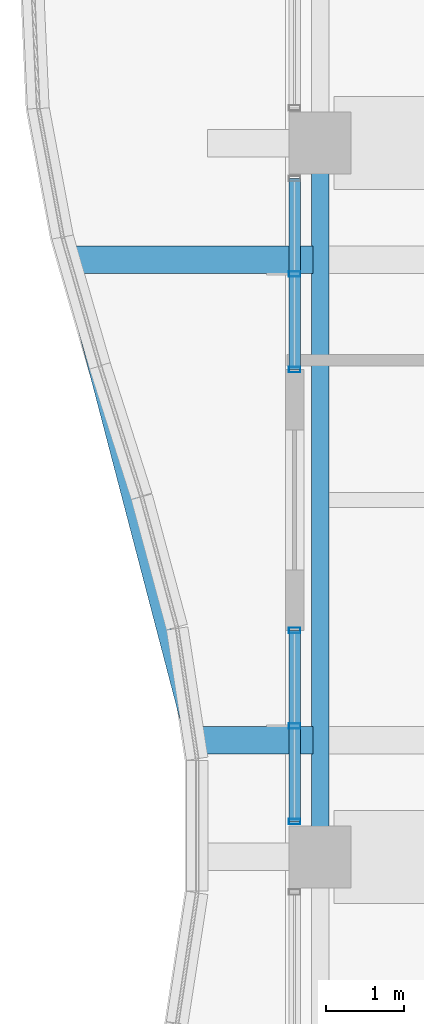
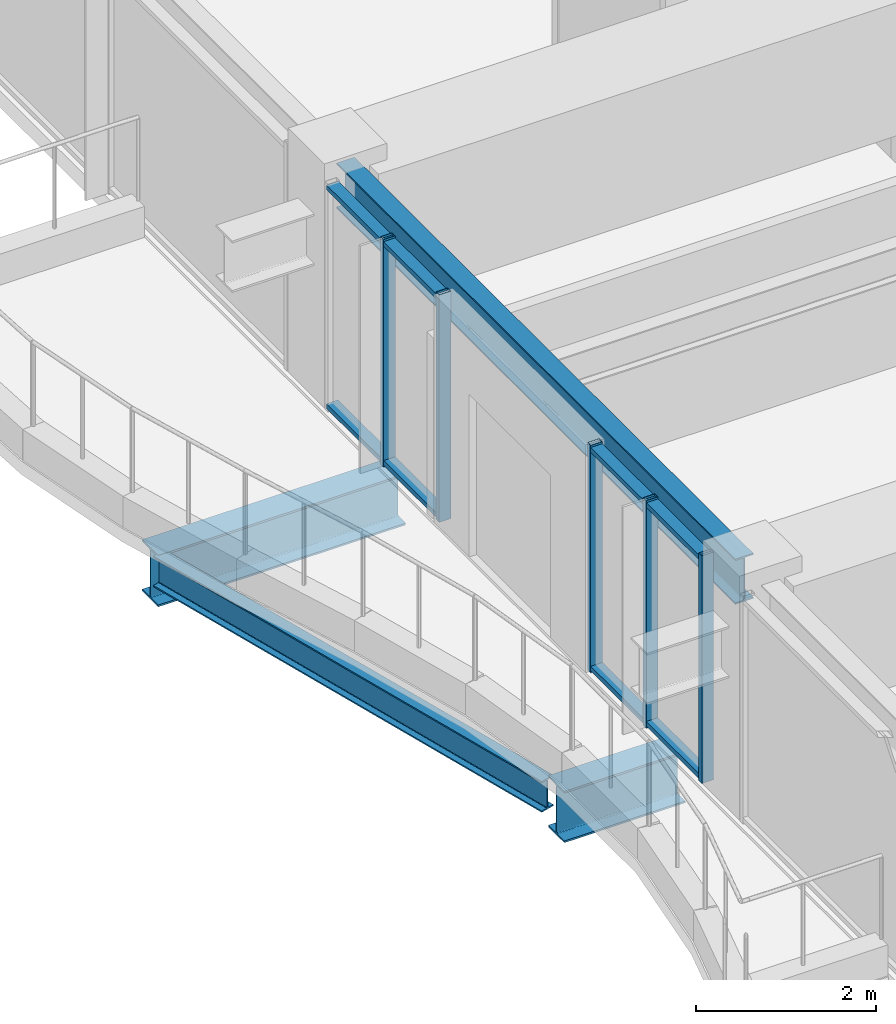
# One storey, part 7 of 35: 9 members, 4 beams, 2 elements without a shape of their own.
"""IFC4 building model written with IfcOpenShell, lengths in metres."""

from ifc_helpers import new_model, si_unit, direction, frame, origin, origin_2d, place, context, subcontext, project, spatial, hollow_rectangle, i_section, extrude, material, material_profile, profile_set, type_object, element, aggregate, save


model = new_model("IFC4")

# Units and contexts
model_context = context("Model", 3, precision=1e-05, world=origin(), true_north=direction((0.0, 1.0)))
body_context = subcontext(model_context, "Body", "Model", "MODEL_VIEW")
ifc_project = project(units=[si_unit("LENGTHUNIT", "METRE"), si_unit("AREAUNIT", "SQUARE_METRE"), si_unit("VOLUMEUNIT", "CUBIC_METRE"), si_unit("PLANEANGLEUNIT", "RADIAN"), si_unit("MASSUNIT", "GRAM", prefix="KILO")], contexts=[model_context])

# Site, building, storey
site_placement = place(None, origin())
site = spatial("IfcSite", under=ifc_project, at=site_placement, CompositionType="ELEMENT")
building_placement = place(site_placement, origin())
building = spatial("IfcBuilding", under=site, at=building_placement, Name="Kolvaren Belvedere", CompositionType="ELEMENT")
storey_placement = place(building_placement, frame((0.0, 0.0, 203.10009765625)))
storey = spatial("IfcBuildingStorey", under=building, at=storey_placement, Name="L59", CompositionType="ELEMENT", Elevation=203.10009765625)

# Beams
ifc_material_1 = material(Name="Structural steel ASTM A992 Grade 50", Category="steel")
ifc_material_profile_1 = material_profile(ifc_material_1, i_section(OverallWidth=0.35498046875, OverallDepth=0.696044921875, WebThickness=0.015380859375, FlangeThickness=0.02490234375, FilletRadius=0.02197265625, at=origin_2d()), Name="W27X146")
ifc_profile_set_1 = profile_set([ifc_material_profile_1], Name="Structural steel ASTM A992 Grade 50")
beam_type_1 = type_object("IfcBeamType", Name="BM-CANT-BAL", PredefinedType="BEAM", material=ifc_profile_set_1)
beam_1_placement = place(storey_placement, frame((-20.044921875, -3.10009765625, -0.568115234375), z_axis=(-1.0, 0.0, 0.0), x_axis=(0.0, -1.0, 0.0)))
element("IfcBeam", 1, at=beam_1_placement, inside=storey, type_object=beam_type_1, Name="L59 Planted Balcony Cantilever BAL-W-1", PredefinedType="BEAM", context=body_context, shape_type="SweptSolid", body=[
    extrude(i_section(OverallWidth=0.35498046875, OverallDepth=0.696044921875, WebThickness=0.015380859375, FlangeThickness=0.02490234375, FilletRadius=0.02197265625, at=origin_2d()), origin(), (0.0, 0.0, 1.0), 1.549072265625),
])
beam_2_placement = place(storey_placement, frame((-20.044921875, 3.10009765625, -0.568115234375), z_axis=(-1.0, 0.0, 0.0), x_axis=(0.0, -1.0, 0.0)))
element("IfcBeam", 2, at=beam_2_placement, inside=storey, type_object=beam_type_1, Name="L59 Planted Balcony Cantilever BAL-W-2", PredefinedType="BEAM", context=body_context, shape_type="SweptSolid", body=[
    extrude(i_section(OverallWidth=0.35498046875, OverallDepth=0.696044921875, WebThickness=0.015380859375, FlangeThickness=0.02490234375, FilletRadius=0.02197265625, at=origin_2d()), origin(), (0.0, 0.0, 1.0), 3.168212890625),
])
ifc_material_2 = material(Name="Structural steel ASTM A992 Grade 50", Category="steel")
ifc_material_profile_2 = material_profile(ifc_material_2, i_section(OverallWidth=0.180908203125, OverallDepth=0.4169921875, WebThickness=0.010986328125, FlangeThickness=0.018310546875, FilletRadius=0.013916015625, at=origin_2d()), Name="W16X57")
ifc_profile_set_2 = profile_set([ifc_material_profile_2], Name="Structural steel ASTM A992 Grade 50")
beam_type_2 = type_object("IfcBeamType", Name="BM-EDGE-W16X57", PredefinedType="BEAM", material=ifc_profile_set_2)
beam_3_placement = place(storey_placement, frame((-21.62939453125, -2.964599609375, -0.4287109375), z_axis=(-0.25266515985, 0.9675537799, 0.0), x_axis=(-0.9675537799, -0.25266515985, 0.0)))
element("IfcBeam", 3, at=beam_3_placement, inside=storey, type_object=beam_type_2, Name="L59 Balcony Tip Header Beam BAL-W", PredefinedType="BEAM", context=body_context, shape_type="SweptSolid", body=[
    extrude(i_section(OverallWidth=0.180908203125, OverallDepth=0.4169921875, WebThickness=0.010986328125, FlangeThickness=0.018310546875, FilletRadius=0.013916015625, at=origin_2d()), origin(), (0.0, 0.0, 1.0), 6.1279296875),
])
ifc_material_3 = material(Name="Structural steel ASTM A992 Grade 50", Category="steel")
ifc_material_profile_3 = material_profile(ifc_material_3, i_section(OverallWidth=0.22900390625, OverallDepth=0.612060546875, WebThickness=0.011962890625, FlangeThickness=0.01953125, FilletRadius=0.01806640625, at=origin_2d()), Name="W24X84")
ifc_profile_set_3 = profile_set([ifc_material_profile_3], Name="Structural steel ASTM A992 Grade 50")
beam_type_3 = type_object("IfcBeamType", Name="BM-SPAN-W24X84", PredefinedType="SPANDREL", material=ifc_profile_set_3)
beam_4_placement = place(storey_placement, frame((-19.949951171875, 4.419921875, 2.77392578125), z_axis=(0.0, -1.0, 0.0), x_axis=(1.0, 0.0, 0.0)))
element("IfcBeam", 4, at=beam_4_placement, inside=storey, type_object=beam_type_3, Name="L59 Perimeter Spandrel W3-W2", PredefinedType="SPANDREL", context=body_context, shape_type="SweptSolid", body=[
    extrude(i_section(OverallWidth=0.22900390625, OverallDepth=0.612060546875, WebThickness=0.011962890625, FlangeThickness=0.01953125, FilletRadius=0.01806640625, at=origin_2d()), origin(), (0.0, 0.0, 1.0), 8.83984375),
])

# Curtain wall, members
ifc_material_4 = material(Name="Anodised pale-metal aluminium AA 6063-T6", Category="aluminium")
curtain_wall_type = type_object("IfcCurtainWallType", Name="CW-Z5-HIGH", PredefinedType="NOTDEFINED", material=ifc_material_4)
curtain_wall_1_placement = place(storey_placement, origin())
curtain_wall_1 = element("IfcCurtainWall", 5, at=curtain_wall_1_placement, inside=storey, type_object=curtain_wall_type, Name="L59 Unitised Curtain Wall FCW-L59-W1-B2", PredefinedType="NOTDEFINED")
ifc_material_5 = material(Name="Anodised pale-metal aluminium AA 6063-T6", Category="aluminium")
ifc_material_profile_4 = material_profile(ifc_material_5, hollow_rectangle(XDim=0.070068359375, YDim=0.14990234375, WallThickness=0.004150390625, at=origin_2d()), Name="ALU-MUL-150X70")
ifc_profile_set_4 = profile_set([ifc_material_profile_4], Name="Anodised pale-metal aluminium AA 6063-T6")
member_type_1 = type_object("IfcMemberType", Name="CW-MUL-150", PredefinedType="MULLION", material=ifc_profile_set_4)
member_1_placement = place(storey_placement, frame((-20.280029296875, -4.14501953125, 0.0), z_axis=(0.0, 0.0, 1.0), x_axis=(0.0, 1.0, 0.0)))
member_1 = element("IfcMember", 6, at=member_1_placement, type_object=member_type_1, Name="FCW-L59-W1-B2 Unitised Mullion 1", PredefinedType="MULLION", context=body_context, shape_type="SweptSolid", body=[
    extrude(hollow_rectangle(XDim=0.070068359375, YDim=0.14990234375, WallThickness=0.004150390625, at=origin_2d()), origin(), (0.0, 0.0, 1.0), 3.079833984375),
])
member_2_placement = place(storey_placement, frame((-20.280029296875, -2.91259765625, 0.0), z_axis=(0.0, 0.0, 1.0), x_axis=(0.0, 1.0, 0.0)))
member_2 = element("IfcMember", 7, at=member_2_placement, type_object=member_type_1, Name="FCW-L59-W1-B2 Unitised Mullion 2", PredefinedType="MULLION", context=body_context, shape_type="SweptSolid", body=[
    extrude(hollow_rectangle(XDim=0.070068359375, YDim=0.14990234375, WallThickness=0.004150390625, at=origin_2d()), origin(), (0.0, 0.0, 1.0), 3.079833984375),
])
member_3_placement = place(storey_placement, frame((-20.280029296875, -1.679931640625, 0.0), z_axis=(0.0, 0.0, 1.0), x_axis=(0.0, 1.0, 0.0)))
member_3 = element("IfcMember", 8, at=member_3_placement, type_object=member_type_1, Name="FCW-L59-W1-B2 Unitised Mullion 3", PredefinedType="MULLION", context=body_context, shape_type="SweptSolid", body=[
    extrude(hollow_rectangle(XDim=0.070068359375, YDim=0.14990234375, WallThickness=0.004150390625, at=origin_2d()), origin(), (0.0, 0.0, 1.0), 3.079833984375),
])

curtain_wall_2_placement = place(storey_placement, origin())
curtain_wall_2 = element("IfcCurtainWall", 9, at=curtain_wall_2_placement, inside=storey, type_object=curtain_wall_type, Name="L59 Unitised Curtain Wall FCW-L59-W2-B1", PredefinedType="NOTDEFINED")
member_4_placement = place(storey_placement, frame((-20.280029296875, 1.679931640625, 0.0), z_axis=(0.0, 0.0, 1.0), x_axis=(0.0, 1.0, 0.0)))
member_4 = element("IfcMember", 10, at=member_4_placement, type_object=member_type_1, Name="FCW-L59-W2-B1 Unitised Mullion 1", PredefinedType="MULLION", context=body_context, shape_type="SweptSolid", body=[
    extrude(hollow_rectangle(XDim=0.070068359375, YDim=0.14990234375, WallThickness=0.004150390625, at=origin_2d()), origin(), (0.0, 0.0, 1.0), 3.079833984375),
])
member_5_placement = place(storey_placement, frame((-20.280029296875, 2.91259765625, 0.0), z_axis=(0.0, 0.0, 1.0), x_axis=(0.0, 1.0, 0.0)))
member_5 = element("IfcMember", 11, at=member_5_placement, type_object=member_type_1, Name="FCW-L59-W2-B1 Unitised Mullion 2", PredefinedType="MULLION", context=body_context, shape_type="SweptSolid", body=[
    extrude(hollow_rectangle(XDim=0.070068359375, YDim=0.14990234375, WallThickness=0.004150390625, at=origin_2d()), origin(), (0.0, 0.0, 1.0), 3.079833984375),
])

# Member
ifc_material_6 = material(Name="Anodised pale-metal aluminium AA 6063-T6", Category="aluminium")
ifc_material_profile_5 = material_profile(ifc_material_6, hollow_rectangle(XDim=0.06494140625, YDim=0.14990234375, WallThickness=0.00390625, at=origin_2d()), Name="ALU-TRN-150X65")
ifc_profile_set_5 = profile_set([ifc_material_profile_5], Name="Anodised pale-metal aluminium AA 6063-T6")
member_type_2 = type_object("IfcMemberType", Name="CW-TRN-150", PredefinedType="USERDEFINED", material=ifc_profile_set_5)
member_6_placement = place(storey_placement, frame((-20.280029296875, -4.14501953125, 0.059814453125), z_axis=(0.0, 1.0, 0.0), x_axis=(0.0, 0.0, 1.0)))
member_6 = element("IfcMember", 12, at=member_6_placement, type_object=member_type_2, Name="FCW-L59-W1-B2 Sill Transom", ObjectType="TRANSOM", PredefinedType="USERDEFINED", context=body_context, shape_type="SweptSolid", body=[
    extrude(hollow_rectangle(XDim=0.06494140625, YDim=0.14990234375, WallThickness=0.00390625, at=origin_2d()), origin(), (0.0, 0.0, 1.0), 2.465087890625),
])

member_7_placement = place(storey_placement, frame((-20.280029296875, -4.14501953125, 3.02001953125), z_axis=(0.0, 1.0, 0.0), x_axis=(0.0, 0.0, 1.0)))
member_7 = element("IfcMember", 13, at=member_7_placement, type_object=member_type_2, Name="FCW-L59-W1-B2 Head Transom", ObjectType="TRANSOM", PredefinedType="USERDEFINED", context=body_context, shape_type="SweptSolid", body=[
    extrude(hollow_rectangle(XDim=0.06494140625, YDim=0.14990234375, WallThickness=0.00390625, at=origin_2d()), origin(), (0.0, 0.0, 1.0), 2.465087890625),
])

aggregate(curtain_wall_1, [member_1, member_2, member_3, member_6, member_7])

member_8_placement = place(storey_placement, frame((-20.280029296875, 1.679931640625, 0.059814453125), z_axis=(0.0, 1.0, 0.0), x_axis=(0.0, 0.0, 1.0)))
member_8 = element("IfcMember", 14, at=member_8_placement, type_object=member_type_2, Name="FCW-L59-W2-B1 Sill Transom", ObjectType="TRANSOM", PredefinedType="USERDEFINED", context=body_context, shape_type="SweptSolid", body=[
    extrude(hollow_rectangle(XDim=0.06494140625, YDim=0.14990234375, WallThickness=0.00390625, at=origin_2d()), origin(), (0.0, 0.0, 1.0), 2.465087890625),
])

member_9_placement = place(storey_placement, frame((-20.280029296875, 1.679931640625, 3.02001953125), z_axis=(0.0, 1.0, 0.0), x_axis=(0.0, 0.0, 1.0)))
member_9 = element("IfcMember", 15, at=member_9_placement, type_object=member_type_2, Name="FCW-L59-W2-B1 Head Transom", ObjectType="TRANSOM", PredefinedType="USERDEFINED", context=body_context, shape_type="SweptSolid", body=[
    extrude(hollow_rectangle(XDim=0.06494140625, YDim=0.14990234375, WallThickness=0.00390625, at=origin_2d()), origin(), (0.0, 0.0, 1.0), 2.465087890625),
])

aggregate(curtain_wall_2, [member_4, member_5, member_8, member_9])

save(model, "model.ifc")
